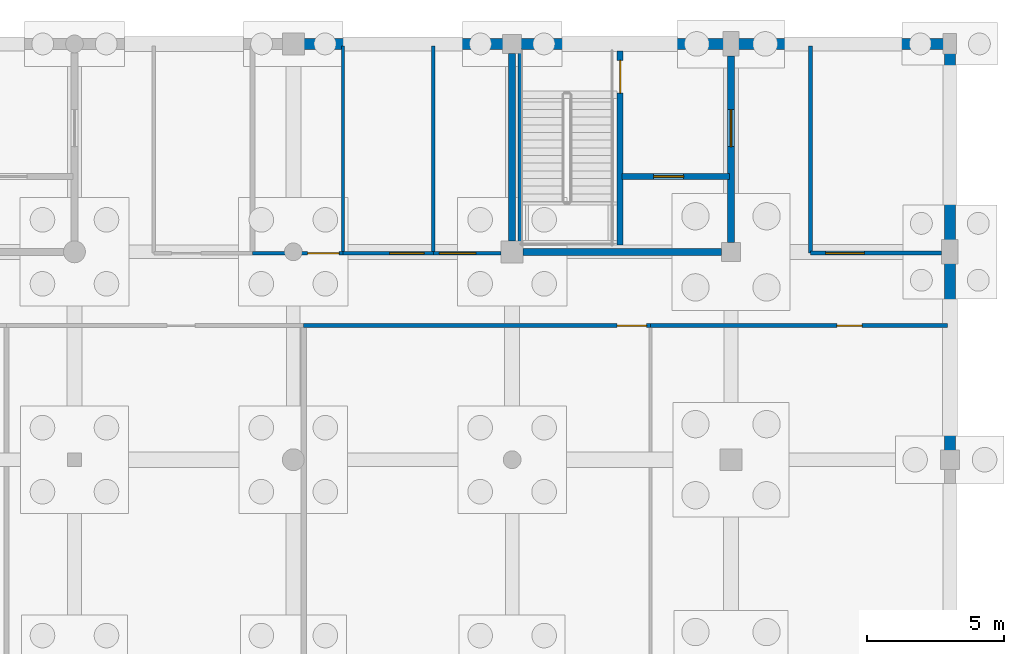
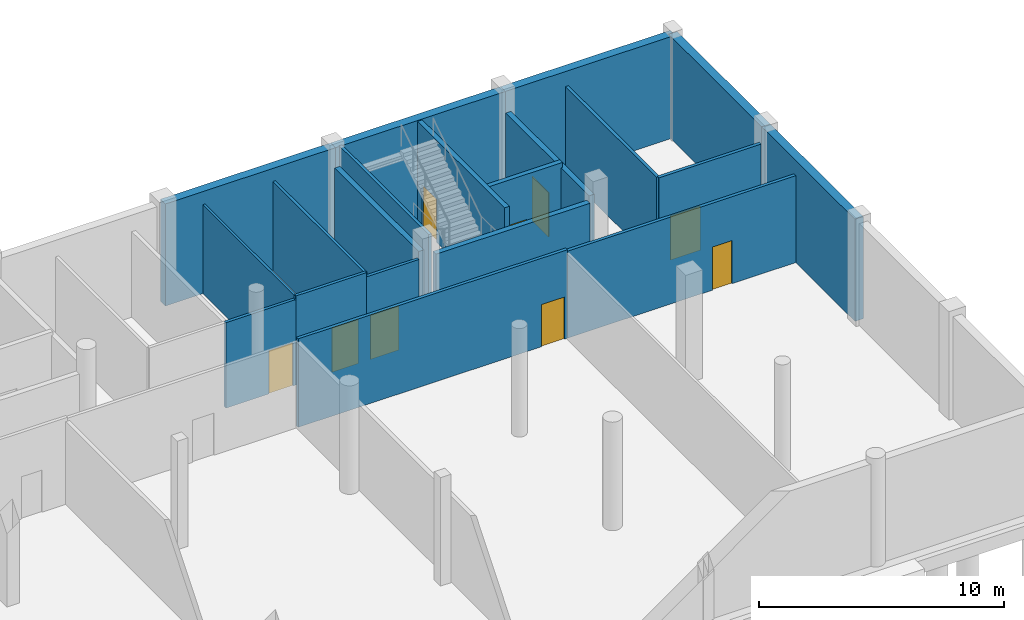
# One storey, part 32 of 44: 20 walls, 9 doors, 9 openings.
"""IFC4 building model written with IfcOpenShell, lengths in metres."""

from ifc_helpers import new_model, si_unit, direction, frame, frame_2d, origin, place, context, subcontext, project, spatial, rectangle, extrude, material, layer, layer_set, type_object, element, fill, save


model = new_model("IFC4")

# Units and contexts
model_context = context("Model", 3, precision=1e-05, world=origin(), true_north=direction((0.0, 1.0)))
body_context = subcontext(model_context, "Body", "Model", "MODEL_VIEW")
ifc_project = project(units=[si_unit("LENGTHUNIT", "METRE"), si_unit("AREAUNIT", "SQUARE_METRE"), si_unit("VOLUMEUNIT", "CUBIC_METRE"), si_unit("PLANEANGLEUNIT", "RADIAN"), si_unit("MASSUNIT", "GRAM", prefix="KILO")], contexts=[model_context])

# Site, building, storey
site_placement = place(None, origin())
site = spatial("IfcSite", under=ifc_project, at=site_placement, CompositionType="ELEMENT")
building_placement = place(site_placement, origin())
building = spatial("IfcBuilding", under=site, at=building_placement, Name="Khelvaren Railside Concert Hall", CompositionType="ELEMENT")
storey_placement = place(building_placement, frame((0.0, 0.0, -5.39990234375)))
storey = spatial("IfcBuildingStorey", under=building, at=storey_placement, Name="B1", CompositionType="ELEMENT", Elevation=-5.39990234375)

# Walls
ifc_material_1 = material(Name="Concrete C40/50", Category="concrete")
ifc_layer_1 = layer(ifc_material_1, 0.139892578125)
ifc_layer_set_1 = layer_set([ifc_layer_1], Name="Concrete C40/50")
wall_type_1 = type_object("IfcWallType", Name="CW17", PredefinedType="SOLIDWALL", material=ifc_layer_set_1)
wall_1_placement = place(storey_placement, frame((168.27490234375, 106.550048828125, 0.0), z_axis=(0.0, 0.0, 1.0), x_axis=(0.0, 1.0, 0.0)))
element("IfcWall", 1, at=wall_1_placement, inside=storey, type_object=wall_type_1, Name="Core Shaft Structural Liner Wall ST-10-B1", PredefinedType="SOLIDWALL", context=body_context, shape_type="SweptSolid", body=[
    extrude(rectangle(XDim=7.300048828125, YDim=0.139892578125, at=frame_2d((3.64990234375, 0.0))), origin(), (0.0, 0.0, 1.0), 5.079833984375),
])
ifc_layer_2 = layer(ifc_material_1, 0.25)
ifc_layer_set_2 = layer_set([ifc_layer_2], Name="Concrete C40/50")
wall_type_2 = type_object("IfcWallType", Name="CW82", PredefinedType="SOLIDWALL", material=ifc_layer_set_2)
wall_2_placement = place(storey_placement, frame((168.0, 106.800048828125, 0.0), z_axis=(0.0, 0.0, 1.0), x_axis=(0.0, 1.0, 0.0)))
element("IfcWall", 2, at=wall_2_placement, inside=storey, type_object=wall_type_2, Name="Core Enclosure Wall CWALL-ST-10-B1-W", PredefinedType="SOLIDWALL", context=body_context, shape_type="SweptSolid", body=[
    extrude(rectangle(XDim=6.849853515625, YDim=0.25, at=frame_2d((3.4248046875, 0.0))), origin(), (0.0, 0.0, 1.0), 4.204833984375),
])
wall_3_placement = place(storey_placement, frame((168.39990234375, 106.39990234375, 0.0), z_axis=(0.0, 0.0, 1.0), x_axis=(1.0, 0.0, 0.0)))
element("IfcWall", 3, at=wall_3_placement, inside=storey, type_object=wall_type_2, Name="Core Enclosure Wall CWALL-ST-10-B1-S", PredefinedType="SOLIDWALL", context=body_context, shape_type="SweptSolid", body=[
    extrude(rectangle(XDim=7.25, YDim=0.25, at=frame_2d((3.625, 0.0))), origin(), (0.0, 0.0, 1.0), 4.204833984375),
])

# Wall, opening, door
wall_4_placement = place(storey_placement, frame((176.0, 106.75, 0.0), z_axis=(0.0, 0.0, 1.0), x_axis=(0.0, 1.0, 0.0)))
wall_4 = element("IfcWall", 4, at=wall_4_placement, inside=storey, type_object=wall_type_2, Name="Core Enclosure Wall CWALL-ST-10-B1-E", PredefinedType="SOLIDWALL", context=body_context, shape_type="SweptSolid", body=[
    extrude(rectangle(XDim=6.800048828125, YDim=0.25, at=frame_2d((3.39990234375, 0.0))), origin(), (0.0, 0.0, 1.0), 4.204833984375),
])
opening_1_placement = place(wall_4_placement, frame((3.5, 0.0, 0.0)))
opening_1 = element("IfcOpeningElement", 5, at=opening_1_placement, cuts=wall_4, Name="Opening FDR34", PredefinedType="OPENING", context=body_context, shape_type="SweptSolid", body=[
    extrude(rectangle(XDim=1.35009765625, YDim=2.199951171875, at=frame_2d((0.675048828125, 1.10009765625))), frame((0.0, 0.135009765625, 0.0), z_axis=(0.0, -1.0, 0.0), x_axis=(1.0, 0.0, 0.0)), (0.0, 0.0, 1.0), 0.27001953125),
])
ifc_material_2 = material(Name="Acoustic fire-rated timber-core steel frame door", Category="steel")
door_type_1 = type_object("IfcDoorType", Name="FDR34", OperationType="NOTDEFINED", PredefinedType="DOOR", material=ifc_material_2)
door_1_placement = place(opening_1_placement, origin())
door_1 = element("IfcDoor", 6, at=door_1_placement, inside=storey, type_object=door_type_1, Name="Interior Door DR-ST-10-B1-LOB", OperationType="SINGLE_SWING_LEFT", OverallHeight=2.199951171875, OverallWidth=1.35009765625, PredefinedType="DOOR", context=body_context, shape_type="SweptSolid", body=[
    extrude(rectangle(XDim=1.35009765625, YDim=2.199951171875, at=frame_2d((0.675048828125, 1.10009765625))), frame((0.0, 0.02490234375, 0.0), z_axis=(0.0, -1.0, 0.0), x_axis=(1.0, 0.0, 0.0)), (0.0, 0.0, 1.0), 0.050048828125),
])
fill(opening_1, door_1)

ifc_layer_3 = layer(ifc_material_1, 0.219970703125)
ifc_layer_set_3 = layer_set([ifc_layer_3], Name="Concrete C40/50")
wall_type_3 = type_object("IfcWallType", Name="CW97", PredefinedType="SOLIDWALL", material=ifc_layer_set_3)
wall_5_placement = place(storey_placement, frame((171.949951171875, 106.64990234375, 0.0), z_axis=(0.0, 0.0, 1.0), x_axis=(0.0, 1.0, 0.0)))
wall_5 = element("IfcWall", 7, at=wall_5_placement, inside=storey, type_object=wall_type_3, Name="Core Enclosure Wall CWALL-ST-10-B1-MID", PredefinedType="SOLIDWALL", context=body_context, shape_type="SweptSolid", body=[
    extrude(rectangle(XDim=7.10009765625, YDim=0.219970703125, at=frame_2d((3.550048828125, 0.0))), origin(), (0.0, 0.0, 1.0), 5.079833984375),
])
opening_2_placement = place(wall_5_placement, frame((5.550048828125, 0.0, 0.0)))
opening_2 = element("IfcOpeningElement", 8, at=opening_2_placement, cuts=wall_5, Name="Opening FDR17", PredefinedType="OPENING", context=body_context, shape_type="SweptSolid", body=[
    extrude(rectangle(XDim=1.199951171875, YDim=2.14990234375, at=frame_2d((0.60009765625, 1.074951171875))), frame((0.0, 0.119873046875, 0.0), z_axis=(0.0, -1.0, 0.0), x_axis=(1.0, 0.0, 0.0)), (0.0, 0.0, 1.0), 0.239990234375),
])
door_type_2 = type_object("IfcDoorType", Name="FDR17", OperationType="NOTDEFINED", PredefinedType="DOOR", material=ifc_material_2)
door_2_placement = place(opening_2_placement, origin())
door_2 = element("IfcDoor", 9, at=door_2_placement, inside=storey, type_object=door_type_2, Name="Interior Door DR-ST-10-B1-ST", OperationType="SINGLE_SWING_RIGHT", OverallHeight=2.14990234375, OverallWidth=1.199951171875, PredefinedType="DOOR", context=body_context, shape_type="SweptSolid", body=[
    extrude(rectangle(XDim=1.199951171875, YDim=2.14990234375, at=frame_2d((0.60009765625, 1.074951171875))), frame((0.0, 0.02490234375, 0.0), z_axis=(0.0, -1.0, 0.0), x_axis=(1.0, 0.0, 0.0)), (0.0, 0.0, 1.0), 0.050048828125),
])
fill(opening_2, door_2)

wall_6_placement = place(storey_placement, frame((172.02001953125, 109.14990234375, 0.0), z_axis=(0.0, 0.0, 1.0), x_axis=(1.0, 0.0, 0.0)))
wall_6 = element("IfcWall", 10, at=wall_6_placement, inside=storey, type_object=wall_type_3, Name="Core Enclosure Wall CWALL-ST-10-B1-SHF", PredefinedType="SOLIDWALL", context=body_context, shape_type="SweptSolid", body=[
    extrude(rectangle(XDim=3.929931640625, YDim=0.219970703125, at=frame_2d((1.96484375, 0.0))), origin(), (0.0, 0.0, 1.0), 4.454833984375),
])
opening_3_placement = place(wall_6_placement, frame((1.14990234375, 0.0, 0.0)))
opening_3 = element("IfcOpeningElement", 11, at=opening_3_placement, cuts=wall_6, Name="Opening LD-FL-01", PredefinedType="OPENING", context=body_context, shape_type="SweptSolid", body=[
    extrude(rectangle(XDim=1.10009765625, YDim=2.199951171875, at=frame_2d((0.550048828125, 1.10009765625))), frame((0.0, 0.119873046875, 0.0), z_axis=(0.0, -1.0, 0.0), x_axis=(1.0, 0.0, 0.0)), (0.0, 0.0, 1.0), 0.239990234375),
])
ifc_material_3 = material(Name="Fire-rated brushed stainless steel landing door", Category="steel")
door_type_3 = type_object("IfcDoorType", Name="LD96", OperationType="DOUBLE_DOOR_SLIDING", PredefinedType="DOOR", material=ifc_material_3)
door_3_placement = place(opening_3_placement, origin())
door_3 = element("IfcDoor", 12, at=door_3_placement, inside=storey, type_object=door_type_3, Name="Lift Landing Door LD-FL-01-B1", OperationType="DOUBLE_DOOR_SLIDING", OverallHeight=2.199951171875, OverallWidth=1.10009765625, PredefinedType="DOOR", context=body_context, shape_type="SweptSolid", body=[
    extrude(rectangle(XDim=1.10009765625, YDim=2.199951171875, at=frame_2d((0.550048828125, 1.10009765625))), frame((0.0, 0.02490234375, 0.0), z_axis=(0.0, -1.0, 0.0), x_axis=(1.0, 0.0, 0.0)), (0.0, 0.0, 1.0), 0.050048828125),
])
fill(opening_3, door_3)

# Wall
ifc_material_4 = material(Name="Acoustic double-stud gypsum partition", Category="gypsum")
ifc_layer_4 = layer(ifc_material_4, 0.1298828125)
ifc_layer_set_4 = layer_set([ifc_layer_4], Name="Acoustic double-stud gypsum partition")
wall_type_4 = type_object("IfcWallType", Name="PT31", PredefinedType="PARTITIONING", material=ifc_layer_set_4)
wall_7_placement = place(storey_placement, frame((165.115966796875, 106.35009765625, 0.0), z_axis=(0.0, 0.0, 1.0), x_axis=(0.0, 1.0, 0.0)))
element("IfcWall", 13, at=wall_7_placement, inside=storey, type_object=wall_type_4, Name="Acoustic Partition Wall PW-V5-B1-N-D03", PredefinedType="PARTITIONING", context=body_context, shape_type="SweptSolid", body=[
    extrude(rectangle(XDim=7.56982421875, YDim=0.1298828125, at=frame_2d((3.784912109375, 0.0))), origin(), (0.0, 0.0, 1.0), 4.429931640625),
])

# Wall, opening, door
ifc_layer_5 = layer(ifc_material_4, 0.139892578125)
ifc_layer_set_5 = layer_set([ifc_layer_5], Name="Acoustic double-stud gypsum partition")
wall_type_5 = type_object("IfcWallType", Name="PT55", PredefinedType="PARTITIONING", material=ifc_layer_set_5)
wall_8_placement = place(storey_placement, frame((158.506103515625, 106.35009765625, 0.0), z_axis=(0.0, 0.0, 1.0), x_axis=(1.0, 0.0, 0.0)))
wall_8 = element("IfcWall", 14, at=wall_8_placement, inside=storey, type_object=wall_type_5, Name="Acoustic Partition Wall PW-V5-B1-N-C02", PredefinedType="PARTITIONING", context=body_context, shape_type="SweptSolid", body=[
    extrude(rectangle(XDim=3.304931640625, YDim=0.139892578125, at=frame_2d((1.65234375, 0.0))), origin(), (0.0, 0.0, 1.0), 4.2548828125),
])
opening_4_placement = place(wall_8_placement, frame((2.014892578125, 0.0, 0.0)))
opening_4 = element("IfcOpeningElement", 15, at=opening_4_placement, cuts=wall_8, Name="Opening IDR73", PredefinedType="OPENING", context=body_context, shape_type="SweptSolid", body=[
    extrude(rectangle(XDim=1.14990234375, YDim=2.14990234375, at=frame_2d((0.574951171875, 1.074951171875))), frame((0.0, 0.079833984375, 0.0), z_axis=(0.0, -1.0, 0.0), x_axis=(1.0, 0.0, 0.0)), (0.0, 0.0, 1.0), 0.159912109375),
])
ifc_material_5 = material(Name="Solid oak acoustic studio door", Category="wood")
door_type_4 = type_object("IfcDoorType", Name="IDR73", OperationType="NOTDEFINED", PredefinedType="DOOR", material=ifc_material_5)
door_4_placement = place(opening_4_placement, origin())
door_4 = element("IfcDoor", 16, at=door_4_placement, inside=storey, type_object=door_type_4, Name="Interior Door DR-V5-B1-N-02", OperationType="SINGLE_SWING_RIGHT", OverallHeight=2.14990234375, OverallWidth=1.14990234375, PredefinedType="DOOR", context=body_context, shape_type="SweptSolid", body=[
    extrude(rectangle(XDim=1.14990234375, YDim=2.14990234375, at=frame_2d((0.574951171875, 1.074951171875))), frame((0.0, 0.02490234375, 0.0), z_axis=(0.0, -1.0, 0.0), x_axis=(1.0, 0.0, 0.0)), (0.0, 0.0, 1.0), 0.050048828125),
])
fill(opening_4, door_4)

wall_9_placement = place(storey_placement, frame((161.81103515625, 106.35009765625, 0.0), z_axis=(0.0, 0.0, 1.0), x_axis=(1.0, 0.0, 0.0)))
wall_9 = element("IfcWall", 17, at=wall_9_placement, inside=storey, type_object=wall_type_5, Name="Acoustic Partition Wall PW-V5-B1-N-C03", PredefinedType="PARTITIONING", context=body_context, shape_type="SweptSolid", body=[
    extrude(rectangle(XDim=3.304931640625, YDim=0.139892578125, at=frame_2d((1.65234375, 0.0))), origin(), (0.0, 0.0, 1.0), 4.429931640625),
])
opening_5_placement = place(wall_9_placement, frame((1.7119140625, 0.0, 0.0)))
opening_5 = element("IfcOpeningElement", 18, at=opening_5_placement, cuts=wall_9, Name="Opening IDR64", PredefinedType="OPENING", context=body_context, shape_type="SweptSolid", body=[
    extrude(rectangle(XDim=1.260009765625, YDim=2.199951171875, at=frame_2d((0.6298828125, 1.10009765625))), frame((0.0, 0.079833984375, 0.0), z_axis=(0.0, -1.0, 0.0), x_axis=(1.0, 0.0, 0.0)), (0.0, 0.0, 1.0), 0.159912109375),
])
door_type_5 = type_object("IfcDoorType", Name="IDR64", OperationType="NOTDEFINED", PredefinedType="DOOR", material=ifc_material_5)
door_5_placement = place(opening_5_placement, origin())
door_5 = element("IfcDoor", 19, at=door_5_placement, inside=storey, type_object=door_type_5, Name="Interior Door DR-V5-B1-N-03", OperationType="SINGLE_SWING_LEFT", OverallHeight=2.199951171875, OverallWidth=1.260009765625, PredefinedType="DOOR", context=body_context, shape_type="SweptSolid", body=[
    extrude(rectangle(XDim=1.260009765625, YDim=2.199951171875, at=frame_2d((0.6298828125, 1.10009765625))), frame((0.0, 0.02490234375, 0.0), z_axis=(0.0, -1.0, 0.0), x_axis=(1.0, 0.0, 0.0)), (0.0, 0.0, 1.0), 0.050048828125),
])
fill(opening_5, door_5)

wall_10_placement = place(storey_placement, frame((165.115966796875, 106.35009765625, 0.0), z_axis=(0.0, 0.0, 1.0), x_axis=(1.0, 0.0, 0.0)))
wall_10 = element("IfcWall", 20, at=wall_10_placement, inside=storey, type_object=wall_type_5, Name="Acoustic Partition Wall PW-V5-B1-N-C04", PredefinedType="PARTITIONING", context=body_context, shape_type="SweptSolid", body=[
    extrude(rectangle(XDim=2.484130859375, YDim=0.139892578125, at=frame_2d((1.2421875, 0.0))), origin(), (0.0, 0.0, 1.0), 4.219970703125),
])
opening_6_placement = place(wall_10_placement, frame((0.219970703125, 0.0, 0.0)))
opening_6 = element("IfcOpeningElement", 21, at=opening_6_placement, cuts=wall_10, Name="Opening IDR52", PredefinedType="OPENING", context=body_context, shape_type="SweptSolid", body=[
    extrude(rectangle(XDim=1.340087890625, YDim=2.199951171875, at=frame_2d((0.669921875, 1.10009765625))), frame((0.0, 0.079833984375, 0.0), z_axis=(0.0, -1.0, 0.0), x_axis=(1.0, 0.0, 0.0)), (0.0, 0.0, 1.0), 0.159912109375),
])
door_type_6 = type_object("IfcDoorType", Name="IDR52", OperationType="NOTDEFINED", PredefinedType="DOOR", material=ifc_material_5)
door_6_placement = place(opening_6_placement, origin())
door_6 = element("IfcDoor", 22, at=door_6_placement, inside=storey, type_object=door_type_6, Name="Interior Door DR-V5-B1-N-04", OperationType="SINGLE_SWING_RIGHT", OverallHeight=2.199951171875, OverallWidth=1.340087890625, PredefinedType="DOOR", context=body_context, shape_type="SweptSolid", body=[
    extrude(rectangle(XDim=1.340087890625, YDim=2.199951171875, at=frame_2d((0.669921875, 1.10009765625))), frame((0.0, 0.02490234375, 0.0), z_axis=(0.0, -1.0, 0.0), x_axis=(1.0, 0.0, 0.0)), (0.0, 0.0, 1.0), 0.050048828125),
])
fill(opening_6, door_6)

ifc_layer_6 = layer(ifc_material_4, 0.14990234375)
ifc_layer_set_6 = layer_set([ifc_layer_6], Name="Acoustic double-stud gypsum partition")
wall_type_6 = type_object("IfcWallType", Name="PT72", PredefinedType="PARTITIONING", material=ifc_layer_set_6)
wall_11_placement = place(storey_placement, frame((160.3798828125, 103.699951171875, 0.0), z_axis=(0.0, 0.0, 1.0), x_axis=(1.0, 0.0, 0.0)))
wall_11 = element("IfcWall", 23, at=wall_11_placement, inside=storey, type_object=wall_type_6, Name="Acoustic Partition Wall PW-V5-B1-S-C03", PredefinedType="PARTITIONING", context=body_context, shape_type="SweptSolid", body=[
    extrude(rectangle(XDim=12.676025390625, YDim=0.14990234375, at=frame_2d((6.337890625, 0.0))), origin(), (0.0, 0.0, 1.0), 4.40478515625),
])
opening_7_placement = place(wall_11_placement, frame((11.4560546875, 0.0, 0.0)))
opening_7 = element("IfcOpeningElement", 24, at=opening_7_placement, cuts=wall_11, Name="Opening IDR70", PredefinedType="OPENING", context=body_context, shape_type="SweptSolid", body=[
    extrude(rectangle(XDim=1.080078125, YDim=2.10009765625, at=frame_2d((0.5400390625, 1.050048828125))), frame((0.0, 0.0849609375, 0.0), z_axis=(0.0, -1.0, 0.0), x_axis=(1.0, 0.0, 0.0)), (0.0, 0.0, 1.0), 0.169921875),
])
door_type_7 = type_object("IfcDoorType", Name="IDR70", OperationType="NOTDEFINED", PredefinedType="DOOR", material=ifc_material_5)
door_7_placement = place(opening_7_placement, origin())
door_7 = element("IfcDoor", 25, at=door_7_placement, inside=storey, type_object=door_type_7, Name="Interior Door DR-V5-B1-S-03", OperationType="SINGLE_SWING_LEFT", OverallHeight=2.10009765625, OverallWidth=1.080078125, PredefinedType="DOOR", context=body_context, shape_type="SweptSolid", body=[
    extrude(rectangle(XDim=1.080078125, YDim=2.10009765625, at=frame_2d((0.5400390625, 1.050048828125))), frame((0.0, 0.02490234375, 0.0), z_axis=(0.0, -1.0, 0.0), x_axis=(1.0, 0.0, 0.0)), (0.0, 0.0, 1.0), 0.050048828125),
])
fill(opening_7, door_7)

wall_12_placement = place(storey_placement, frame((173.055908203125, 103.699951171875, 0.0), z_axis=(0.0, 0.0, 1.0), x_axis=(1.0, 0.0, 0.0)))
wall_12 = element("IfcWall", 26, at=wall_12_placement, inside=storey, type_object=wall_type_6, Name="Acoustic Partition Wall PW-V5-B1-S-C04", PredefinedType="PARTITIONING", context=body_context, shape_type="SweptSolid", body=[
    extrude(rectangle(XDim=10.864013671875, YDim=0.14990234375, at=frame_2d((5.43212890625, 0.0))), origin(), (0.0, 0.0, 1.0), 4.329833984375),
])
opening_8_placement = place(wall_12_placement, frame((6.81689453125, 0.0, 0.0)))
opening_8 = element("IfcOpeningElement", 27, at=opening_8_placement, cuts=wall_12, Name="Opening IDR15", PredefinedType="OPENING", context=body_context, shape_type="SweptSolid", body=[
    extrude(rectangle(XDim=0.919921875, YDim=2.14990234375, at=frame_2d((0.4599609375, 1.074951171875))), frame((0.0, 0.0849609375, 0.0), z_axis=(0.0, -1.0, 0.0), x_axis=(1.0, 0.0, 0.0)), (0.0, 0.0, 1.0), 0.169921875),
])
door_type_8 = type_object("IfcDoorType", Name="IDR15", OperationType="NOTDEFINED", PredefinedType="DOOR", material=ifc_material_5)
door_8_placement = place(opening_8_placement, origin())
door_8 = element("IfcDoor", 28, at=door_8_placement, inside=storey, type_object=door_type_8, Name="Interior Door DR-V5-B1-S-04", OperationType="SINGLE_SWING_RIGHT", OverallHeight=2.14990234375, OverallWidth=0.919921875, PredefinedType="DOOR", context=body_context, shape_type="SweptSolid", body=[
    extrude(rectangle(XDim=0.919921875, YDim=2.14990234375, at=frame_2d((0.4599609375, 1.074951171875))), frame((0.0, 0.02490234375, 0.0), z_axis=(0.0, -1.0, 0.0), x_axis=(1.0, 0.0, 0.0)), (0.0, 0.0, 1.0), 0.050048828125),
])
fill(opening_8, door_8)

wall_13_placement = place(storey_placement, frame((178.89990234375, 106.35009765625, 0.0), z_axis=(0.0, 0.0, 1.0), x_axis=(1.0, 0.0, 0.0)))
wall_13 = element("IfcWall", 29, at=wall_13_placement, inside=storey, type_object=wall_type_6, Name="Acoustic Partition Wall PW-V5-B1-NE-C01", PredefinedType="PARTITIONING", context=body_context, shape_type="SweptSolid", body=[
    extrude(rectangle(XDim=4.800048828125, YDim=0.14990234375, at=frame_2d((2.39990234375, 0.0))), origin(), (0.0, 0.0, 1.0), 4.329833984375),
])
opening_9_placement = place(wall_13_placement, frame((0.555908203125, 0.0, 0.0)))
opening_9 = element("IfcOpeningElement", 30, at=opening_9_placement, cuts=wall_13, Name="Opening IDR61", PredefinedType="OPENING", context=body_context, shape_type="SweptSolid", body=[
    extrude(rectangle(XDim=1.419921875, YDim=2.199951171875, at=frame_2d((0.7099609375, 1.10009765625))), frame((0.0, 0.0849609375, 0.0), z_axis=(0.0, -1.0, 0.0), x_axis=(1.0, 0.0, 0.0)), (0.0, 0.0, 1.0), 0.169921875),
])
door_type_9 = type_object("IfcDoorType", Name="IDR61", OperationType="NOTDEFINED", PredefinedType="DOOR", material=ifc_material_5)
door_9_placement = place(opening_9_placement, origin())
door_9 = element("IfcDoor", 31, at=door_9_placement, inside=storey, type_object=door_type_9, Name="Interior Door DR-V5-B1-NE-01", OperationType="SINGLE_SWING_LEFT", OverallHeight=2.199951171875, OverallWidth=1.419921875, PredefinedType="DOOR", context=body_context, shape_type="SweptSolid", body=[
    extrude(rectangle(XDim=1.419921875, YDim=2.199951171875, at=frame_2d((0.7099609375, 1.10009765625))), frame((0.0, 0.02490234375, 0.0), z_axis=(0.0, -1.0, 0.0), x_axis=(1.0, 0.0, 0.0)), (0.0, 0.0, 1.0), 0.050048828125),
])
fill(opening_9, door_9)

# Walls
wall_14_placement = place(storey_placement, frame((178.89990234375, 106.35009765625, 0.0), z_axis=(0.0, 0.0, 1.0), x_axis=(0.0, 1.0, 0.0)))
element("IfcWall", 32, at=wall_14_placement, inside=storey, type_object=wall_type_6, Name="Acoustic Partition Wall PW-V5-B1-NE-W0", PredefinedType="PARTITIONING", context=body_context, shape_type="SweptSolid", body=[
    extrude(rectangle(XDim=7.56982421875, YDim=0.14990234375, at=frame_2d((3.784912109375, 0.0))), origin(), (0.0, 0.0, 1.0), 4.329833984375),
])
ifc_layer_7 = layer(ifc_material_4, 0.110107421875)
ifc_layer_set_7 = layer_set([ifc_layer_7], Name="Acoustic double-stud gypsum partition")
wall_type_7 = type_object("IfcWallType", Name="PT80", PredefinedType="PARTITIONING", material=ifc_layer_set_7)
wall_15_placement = place(storey_placement, frame((161.81103515625, 106.35009765625, 0.0), z_axis=(0.0, 0.0, 1.0), x_axis=(0.0, 1.0, 0.0)))
element("IfcWall", 33, at=wall_15_placement, inside=storey, type_object=wall_type_7, Name="Acoustic Partition Wall PW-V5-B1-N-D02", PredefinedType="PARTITIONING", context=body_context, shape_type="SweptSolid", body=[
    extrude(rectangle(XDim=7.56982421875, YDim=0.110107421875, at=frame_2d((3.784912109375, 0.0))), origin(), (0.0, 0.0, 1.0), 4.429931640625),
])
ifc_layer_8 = layer(ifc_material_1, 0.39990234375)
ifc_layer_set_8 = layer_set([ifc_layer_8], Name="Concrete C40/50")
wall_type_8 = type_object("IfcWallType", Name="RW96", PredefinedType="USERDEFINED", material=ifc_layer_set_8)
for number, where, z_axis, x_axis, name in (
    (34, (168.0, 114.0, 0.0), (0.0, 0.0, 1.0), (-1.0, 0.0, 0.0), "V5 Basement Retaining Wall N05"),
    (35, (176.0, 114.0, 0.0), (0.0, 0.0, 1.0), (-1.0, 0.0, 0.0), "V5 Basement Retaining Wall N06"),
    (36, (184.0, 114.0, 0.0), (0.0, 0.0, 1.0), (-1.0, 0.0, 0.0), "V5 Basement Retaining Wall N07"),
):
    element("IfcWall", number, at=place(storey_placement, frame(where, z_axis=z_axis, x_axis=x_axis)), inside=storey, type_object=wall_type_8, Name=name, ObjectType="RETAINING WALL", PredefinedType="USERDEFINED", context=body_context, shape_type="SweptSolid", body=[
        extrude(rectangle(XDim=8.0, YDim=0.39990234375, at=frame_2d((4.0, 0.0))), origin(), (0.0, 0.0, 1.0), 5.079833984375),
    ])
wall_16_placement = place(storey_placement, frame((184.0, 98.800048828125, 0.0), z_axis=(0.0, 0.0, 1.0), x_axis=(0.0, 1.0, 0.0)))
element("IfcWall", 37, at=wall_16_placement, inside=storey, type_object=wall_type_8, Name="V5 Basement Retaining Wall E03", ObjectType="RETAINING WALL", PredefinedType="USERDEFINED", context=body_context, shape_type="SweptSolid", body=[
    extrude(rectangle(XDim=7.599853515625, YDim=0.39990234375, at=frame_2d((3.7998046875, 0.0))), origin(), (0.0, 0.0, 1.0), 5.079833984375),
])
wall_17_placement = place(storey_placement, frame((184.0, 106.39990234375, 0.0), z_axis=(0.0, 0.0, 1.0), x_axis=(0.0, 1.0, 0.0)))
element("IfcWall", 38, at=wall_17_placement, inside=storey, type_object=wall_type_8, Name="V5 Basement Retaining Wall E04", ObjectType="RETAINING WALL", PredefinedType="USERDEFINED", context=body_context, shape_type="SweptSolid", body=[
    extrude(rectangle(XDim=7.60009765625, YDim=0.39990234375, at=frame_2d((3.800048828125, 0.0))), origin(), (0.0, 0.0, 1.0), 5.079833984375),
])

save(model, "model.ifc")
